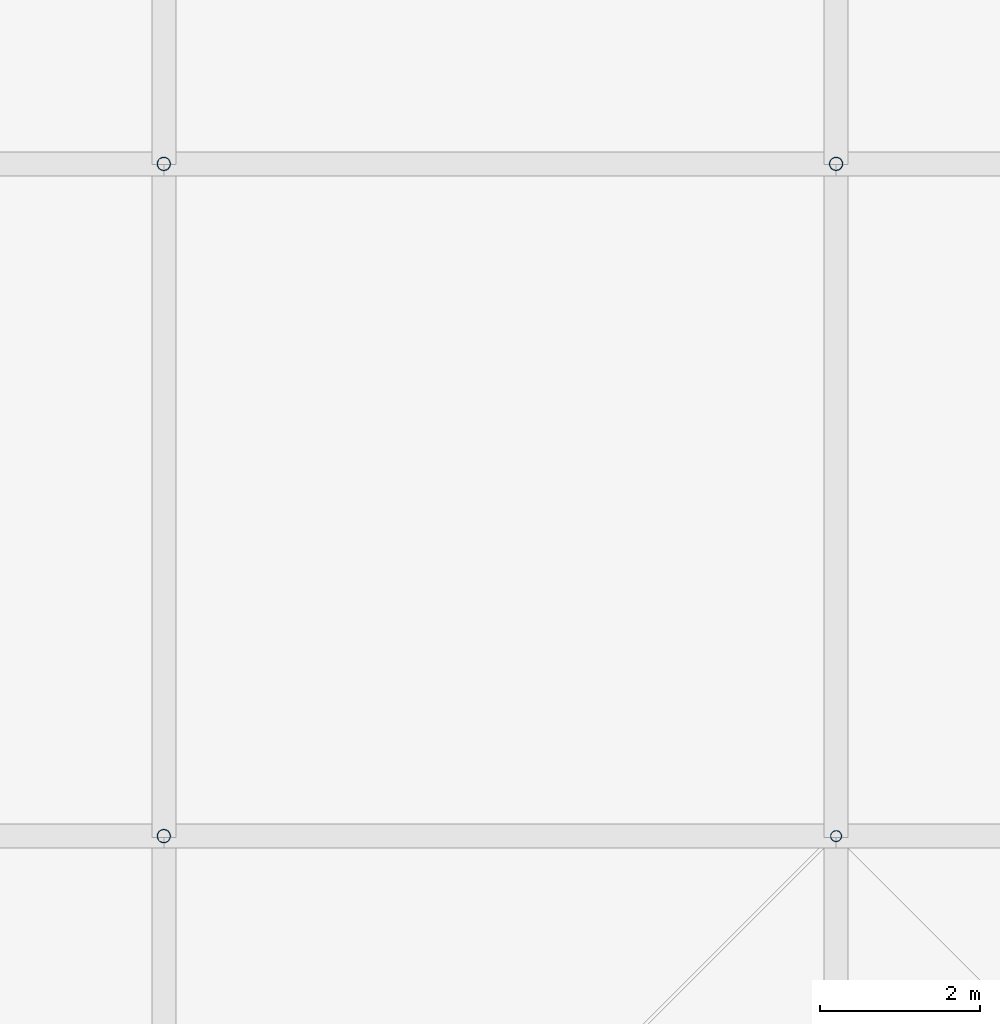
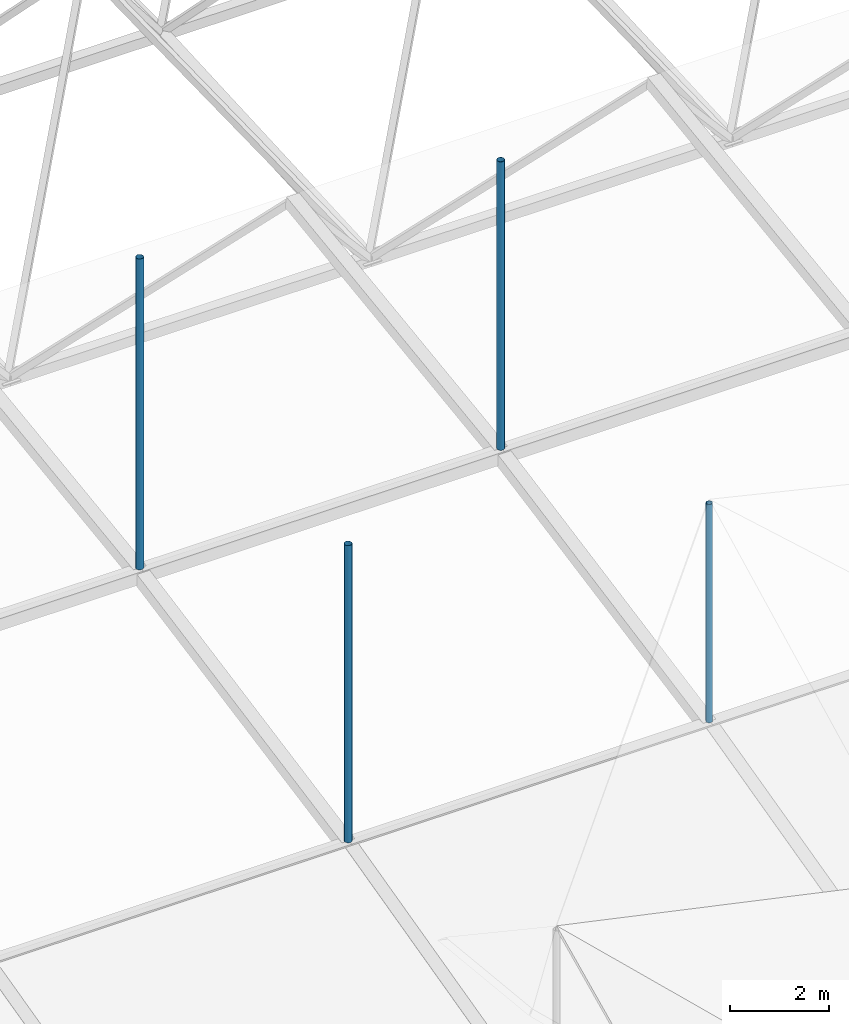
# One storey, part 34 of 111: 4 discrete accessories.
"""IFC4 building model written with IfcOpenShell, lengths in metres."""

from ifc_helpers import new_model, si_unit, direction, frame, origin, origin_2d, place, context, subcontext, project, spatial, hollow_circle, extrude, material, material_profile, profile_set, type_object, element, save


model = new_model("IFC4")

# Units and contexts
model_context = context("Model", 3, precision=1e-05, world=origin(), true_north=direction((0.0, 1.0)))
body_context = subcontext(model_context, "Body", "Model", "MODEL_VIEW")
ifc_project = project(units=[si_unit("LENGTHUNIT", "METRE"), si_unit("AREAUNIT", "SQUARE_METRE"), si_unit("VOLUMEUNIT", "CUBIC_METRE"), si_unit("PLANEANGLEUNIT", "RADIAN"), si_unit("MASSUNIT", "GRAM", prefix="KILO")], contexts=[model_context])

# Site, building, storey
site_placement = place(None, origin())
site = spatial("IfcSite", under=ifc_project, at=site_placement, CompositionType="ELEMENT")
building_placement = place(site_placement, origin())
building = spatial("IfcBuilding", under=site, at=building_placement, Name="Rain Tree Exposition and Congress Centre", CompositionType="ELEMENT")
storey_placement = place(building_placement, frame((0.0, 0.0, 19.5)))
storey = spatial("IfcBuildingStorey", under=building, at=storey_placement, Name="RF", CompositionType="ELEMENT", Elevation=19.5)

# Discrete accessories
ifc_material_1 = material(Name="Steel S355J2H", Category="steel")
ifc_material_profile_1 = material_profile(ifc_material_1, hollow_circle(Radius=0.06982421875, WallThickness=0.0048828125, at=origin_2d()), Name="CHS 140x5")
ifc_profile_set_1 = profile_set([ifc_material_profile_1], Name="Steel S355J2H")
discrete_accessory_type_1 = type_object("IfcDiscreteAccessoryType", Name="Roof skin post CHS 140x5", PredefinedType="BRACKET", material=ifc_profile_set_1)
discrete_accessory_1_placement = place(storey_placement, frame((92.39990234375, 117.60009765625, 3.22412109375), z_axis=(0.0, 0.0, 1.0), x_axis=(1.0, 0.0, 0.0)))
element("IfcDiscreteAccessory", 1, at=discrete_accessory_1_placement, inside=storey, type_object=discrete_accessory_type_1, Name="Roof skin post A41", PredefinedType="BRACKET", context=body_context, shape_type="SweptSolid", body=[
    extrude(hollow_circle(Radius=0.06982421875, WallThickness=0.0048828125, at=origin_2d()), origin(), (0.0, 0.0, 1.0), 5.369140625),
])
ifc_material_2 = material(Name="Steel S355J2H", Category="steel")
ifc_material_profile_2 = material_profile(ifc_material_2, hollow_circle(Radius=0.084228515625, WallThickness=0.006103515625, at=origin_2d()), Name="CHS 168x6")
ifc_profile_set_2 = profile_set([ifc_material_profile_2], Name="Steel S355J2H")
discrete_accessory_type_2 = type_object("IfcDiscreteAccessoryType", Name="Roof skin post CHS 168x6", PredefinedType="BRACKET", material=ifc_profile_set_2)
discrete_accessory_2_placement = place(storey_placement, frame((84.0, 117.60009765625, 3.22412109375), z_axis=(0.0, 0.0, 1.0), x_axis=(1.0, 0.0, 0.0)))
element("IfcDiscreteAccessory", 2, at=discrete_accessory_2_placement, inside=storey, type_object=discrete_accessory_type_2, Name="Roof skin post A40", PredefinedType="BRACKET", context=body_context, shape_type="SweptSolid", body=[
    extrude(hollow_circle(Radius=0.084228515625, WallThickness=0.006103515625, at=origin_2d()), origin(), (0.0, 0.0, 1.0), 7.307861328125),
])
discrete_accessory_3_placement = place(storey_placement, frame((84.0, 126.0, 4.843017578125), z_axis=(0.0, 0.0, 1.0), x_axis=(1.0, 0.0, 0.0)))
element("IfcDiscreteAccessory", 3, at=discrete_accessory_3_placement, inside=storey, type_object=discrete_accessory_type_2, Name="Roof skin post A55", PredefinedType="BRACKET", context=body_context, shape_type="SweptSolid", body=[
    extrude(hollow_circle(Radius=0.084228515625, WallThickness=0.006103515625, at=origin_2d()), origin(), (0.0, 0.0, 1.0), 7.644775390625),
])
discrete_accessory_4_placement = place(storey_placement, frame((92.39990234375, 126.0, 4.843017578125), z_axis=(0.0, 0.0, 1.0), x_axis=(1.0, 0.0, 0.0)))
element("IfcDiscreteAccessory", 4, at=discrete_accessory_4_placement, inside=storey, type_object=discrete_accessory_type_2, Name="Roof skin post A56", PredefinedType="BRACKET", context=body_context, shape_type="SweptSolid", body=[
    extrude(hollow_circle(Radius=0.084228515625, WallThickness=0.006103515625, at=origin_2d()), origin(), (0.0, 0.0, 1.0), 7.093017578125),
])

save(model, "model.ifc")
